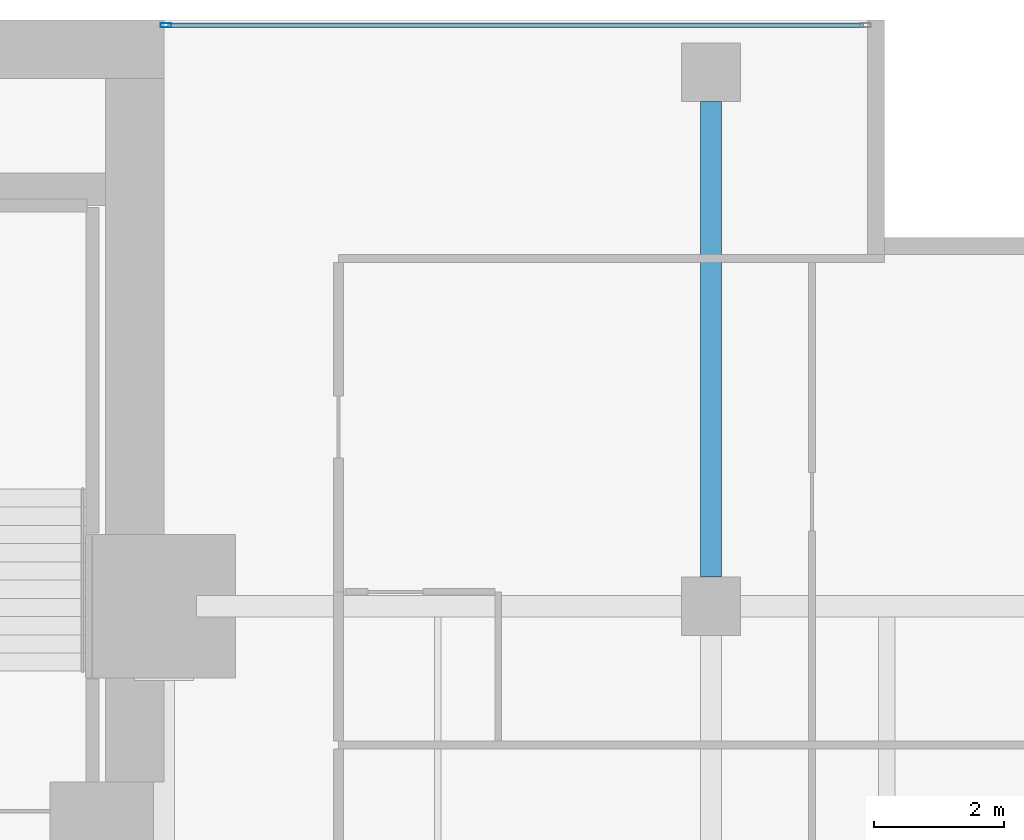
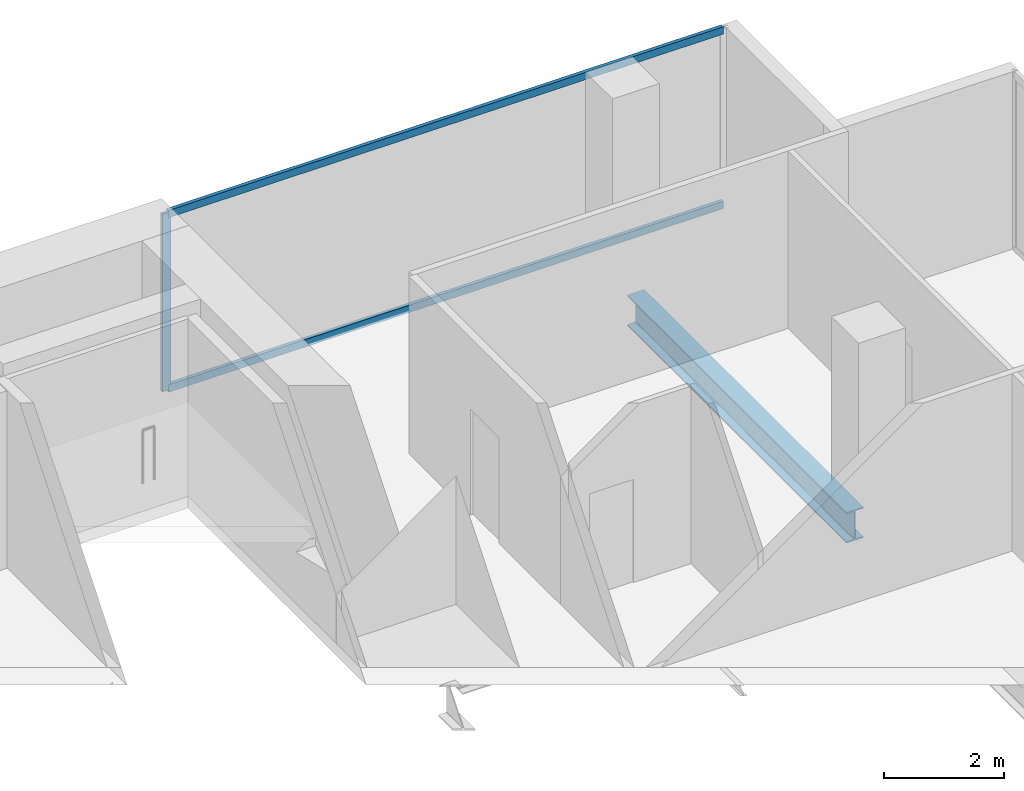
# One storey, part 30 of 40: 3 members, 1 beam, 1 element without a shape of its own.
"""IFC4 building model written with IfcOpenShell, lengths in metres."""

from ifc_helpers import new_model, si_unit, direction, frame, origin, origin_2d, place, context, subcontext, project, spatial, hollow_rectangle, i_section, extrude, material, layer, layer_set, material_profile, profile_set, type_object, element, aggregate, save


model = new_model("IFC4")

# Units and contexts
model_context = context("Model", 3, precision=1e-05, world=origin(), true_north=direction((0.0, 1.0)))
body_context = subcontext(model_context, "Body", "Model", "MODEL_VIEW")
ifc_project = project(units=[si_unit("LENGTHUNIT", "METRE"), si_unit("AREAUNIT", "SQUARE_METRE"), si_unit("VOLUMEUNIT", "CUBIC_METRE"), si_unit("PLANEANGLEUNIT", "RADIAN"), si_unit("MASSUNIT", "GRAM", prefix="KILO")], contexts=[model_context])

# Site, building, storey
site_placement = place(None, origin())
site = spatial("IfcSite", under=ifc_project, at=site_placement, CompositionType="ELEMENT")
building_placement = place(site_placement, origin())
building = spatial("IfcBuilding", under=site, at=building_placement, Name="Maruvema Waterfront Hotel and Observation Tower", CompositionType="ELEMENT")
storey_placement = place(building_placement, frame((0.0, 0.0, 42.35009765625)))
storey = spatial("IfcBuildingStorey", under=building, at=storey_placement, Name="L09", CompositionType="ELEMENT", Elevation=42.35009765625)

# Curtain wall, members
ifc_material_1 = material(Name="Anodised bronze aluminium and solar-control low-E IGU", Category="aluminium")
ifc_layer = layer(ifc_material_1, 0.159912109375, Name="Zone 1 Bronze Inner Thermal Curtain Wall System CW-02")
ifc_layer_set = layer_set([ifc_layer], Name="Anodised bronze aluminium and solar-control low-E IGU")
curtain_wall_type = type_object("IfcCurtainWallType", Name="Zone 1 Bronze Inner Thermal Curtain Wall System CW-02", PredefinedType="USERDEFINED", material=ifc_layer_set)
curtain_wall_placement = place(storey_placement, origin())
curtain_wall = element("IfcCurtainWall", 1, at=curtain_wall_placement, inside=storey, type_object=curtain_wall_type, Name="L09 Curtain Wall CW-L09-NE", ObjectType="UNITISED CURTAIN WALL", PredefinedType="USERDEFINED")
ifc_material_2 = material(Name="Anodised architectural bronze aluminium", Category="aluminium")
ifc_material_profile_1 = material_profile(ifc_material_2, hollow_rectangle(XDim=0.070068359375, YDim=0.14990234375, WallThickness=0.00390625, at=origin_2d()), Name="ALU-T70x150")
ifc_profile_set_1 = profile_set([ifc_material_profile_1], Name="Anodised architectural bronze aluminium")
member_type_1 = type_object("IfcMemberType", Name="Curtain Wall Horizontal Transom ALU-T70x150", PredefinedType="USERDEFINED", material=ifc_profile_set_1)
member_1_placement = place(storey_placement, frame((61.139892578125, 53.919921875, 0.02978515625), z_axis=(-1.0, 0.0, 0.0), x_axis=(0.0, -1.0, 0.0)))
member_1 = element("IfcMember", 2, at=member_1_placement, type_object=member_type_1, Name="CW-02 transom 1.1", ObjectType="TRANSOM", PredefinedType="USERDEFINED", context=body_context, shape_type="SweptSolid", body=[
    extrude(hollow_rectangle(XDim=0.070068359375, YDim=0.14990234375, WallThickness=0.00390625, at=origin_2d()), origin(), (0.0, 0.0, 1.0), 10.679931640625),
])
member_2_placement = place(storey_placement, frame((61.139892578125, 53.919921875, 3.579833984375), z_axis=(-1.0, 0.0, 0.0), x_axis=(0.0, -1.0, 0.0)))
member_2 = element("IfcMember", 3, at=member_2_placement, type_object=member_type_1, Name="CW-02 transom 1.2", ObjectType="TRANSOM", PredefinedType="USERDEFINED", context=body_context, shape_type="SweptSolid", body=[
    extrude(hollow_rectangle(XDim=0.070068359375, YDim=0.14990234375, WallThickness=0.00390625, at=origin_2d()), origin(), (0.0, 0.0, 1.0), 10.679931640625),
])
ifc_material_3 = material(Name="Anodised architectural bronze aluminium", Category="aluminium")
ifc_material_profile_2 = material_profile(ifc_material_3, hollow_rectangle(XDim=0.06494140625, YDim=0.1650390625, WallThickness=0.00390625, at=origin_2d()), Name="ALU-M65x165")
ifc_profile_set_2 = profile_set([ifc_material_profile_2], Name="Anodised architectural bronze aluminium")
member_type_2 = type_object("IfcMemberType", Name="Curtain Wall Primary Mullion ALU-M65x165", PredefinedType="MULLION", material=ifc_profile_set_2)
member_3_placement = place(storey_placement, frame((50.429931640625, 53.919921875, 0.0), z_axis=(0.0, 0.0, 1.0), x_axis=(0.0, -1.0, 0.0)))
member_3 = element("IfcMember", 4, at=member_3_placement, type_object=member_type_2, Name="CW-02 mullion 2", PredefinedType="MULLION", context=body_context, shape_type="SweptSolid", body=[
    extrude(hollow_rectangle(XDim=0.06494140625, YDim=0.1650390625, WallThickness=0.00390625, at=origin_2d()), origin(), (0.0, 0.0, 1.0), 3.60986328125),
])
aggregate(curtain_wall, [member_3, member_1, member_2])

# Beam
ifc_material_4 = material(Name="Steel ASTM A572 Grade 50", Category="steel")
ifc_material_profile_3 = material_profile(ifc_material_4, i_section(OverallWidth=0.326904296875, OverallDepth=0.6220703125, WebThickness=0.015380859375, FlangeThickness=0.0244140625, FilletRadius=0.01806640625, at=origin_2d()), Name="W610x195.0")
ifc_profile_set_3 = profile_set([ifc_material_profile_3], Name="Steel ASTM A572 Grade 50")
beam_type = type_object("IfcBeamType", Name="Primary Floor Girder W610x195.0", PredefinedType="BEAM", material=ifc_profile_set_3)
beam_placement = place(storey_placement, frame((58.800048828125, 45.449951171875, -0.551025390625), z_axis=(0.0, 1.0, 0.0), x_axis=(-1.0, 0.0, 0.0)))
element("IfcBeam", 5, at=beam_placement, inside=storey, type_object=beam_type, Name="L09 Floor Girder NS-32", PredefinedType="BEAM", context=body_context, shape_type="SweptSolid", body=[
    extrude(i_section(OverallWidth=0.326904296875, OverallDepth=0.6220703125, WebThickness=0.015380859375, FlangeThickness=0.0244140625, FilletRadius=0.01806640625, at=origin_2d()), origin(), (0.0, 0.0, 1.0), 7.300048828125),
])

save(model, "model.ifc")
